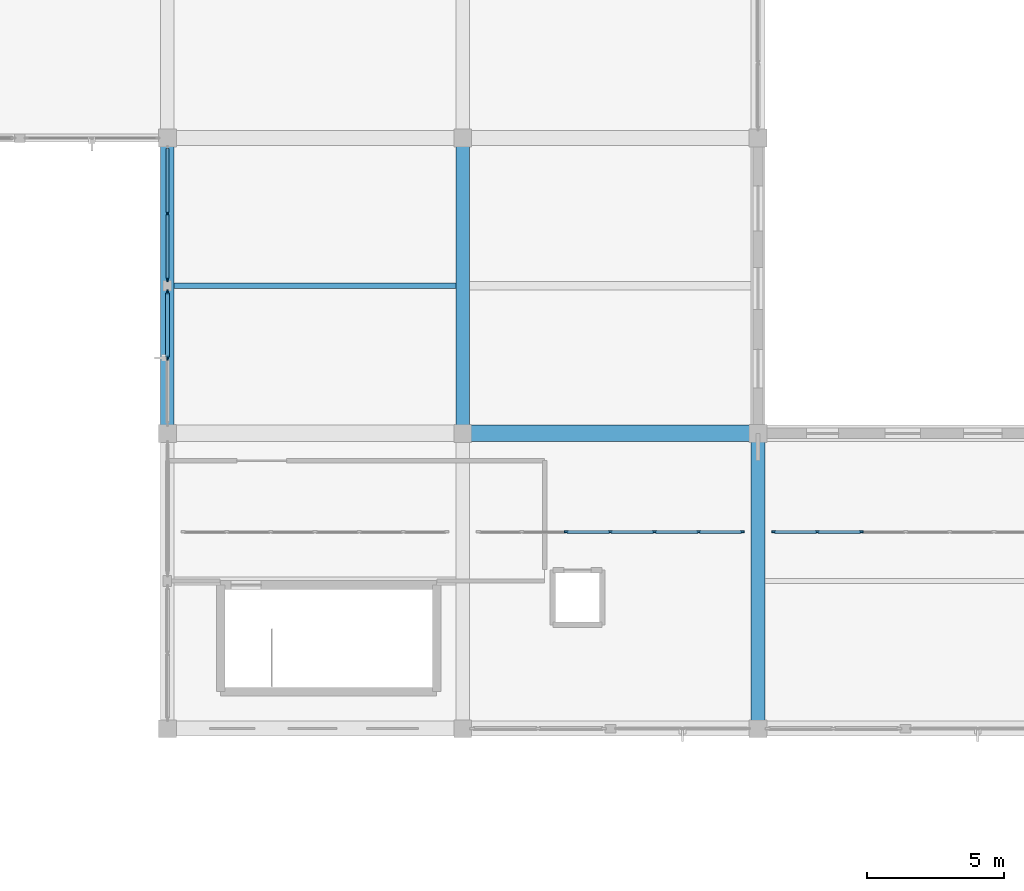
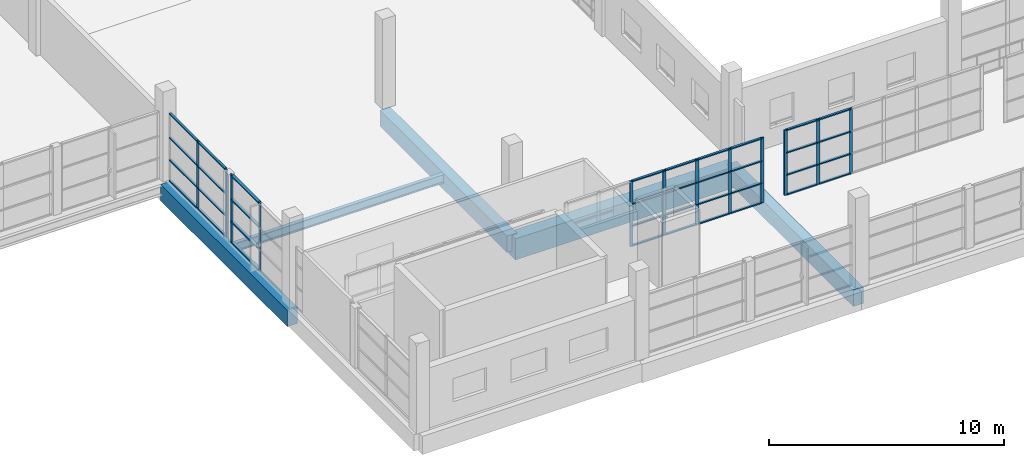
# One storey, part 24 of 142: 48 members, 5 beams, 4 elements without a shape of their own.
"""IFC4 building model written with IfcOpenShell, lengths in metres."""

from ifc_helpers import new_model, si_unit, direction, frame, origin, origin_2d, place, context, subcontext, project, spatial, rectangle, i_section, extrude, material, material_profile, profile_set, type_object, element, aggregate, save


model = new_model("IFC4")

# Units and contexts
model_context = context("Model", 3, precision=1e-05, world=origin(), true_north=direction((0.0, 1.0)))
body_context = subcontext(model_context, "Body", "Model", "MODEL_VIEW")
ifc_project = project(units=[si_unit("LENGTHUNIT", "METRE"), si_unit("AREAUNIT", "SQUARE_METRE"), si_unit("VOLUMEUNIT", "CUBIC_METRE"), si_unit("PLANEANGLEUNIT", "RADIAN"), si_unit("MASSUNIT", "GRAM", prefix="KILO")], contexts=[model_context])

# Site, building, storey
site_placement = place(None, origin())
site = spatial("IfcSite", under=ifc_project, at=site_placement, CompositionType="ELEMENT")
building_placement = place(site_placement, origin())
building = spatial("IfcBuilding", under=site, at=building_placement, Name="Zwinboog Wholesale Market", CompositionType="ELEMENT")
storey_placement = place(building_placement, frame((0.0, 0.0, 5.39990234375)))
storey = spatial("IfcBuildingStorey", under=building, at=storey_placement, Name="L01", CompositionType="ELEMENT", Elevation=5.39990234375)

# Beams
ifc_material_1 = material(Name="Precast concrete C45/55", Category="concrete")
ifc_material_profile_1 = material_profile(ifc_material_1, rectangle(XDim=0.60009765625, YDim=1.10009765625, at=origin_2d()), Name="PC 600x1100")
ifc_profile_set_1 = profile_set([ifc_material_profile_1], Name="Precast concrete C45/55")
beam_type_1 = type_object("IfcBeamType", Name="BT-01", PredefinedType="BEAM", material=ifc_profile_set_1)
beam_1_placement = place(storey_placement, frame((75.60009765625, 54.0, -0.85498046875), z_axis=(1.0, 0.0, 0.0), x_axis=(0.0, 1.0, 0.0)))
element("IfcBeam", 1, at=beam_1_placement, inside=storey, type_object=beam_type_1, Name="BG-01 (BMG-L01-0756-0540-0480)", PredefinedType="BEAM", context=body_context, shape_type="SweptSolid", body=[
    extrude(rectangle(XDim=0.60009765625, YDim=1.10009765625, at=origin_2d()), origin(), (0.0, 0.0, 1.0), 10.7998046875),
])
ifc_material_profile_2 = material_profile(ifc_material_1, rectangle(XDim=0.5, YDim=0.85009765625, at=origin_2d()), Name="PC 500x850")
ifc_profile_set_2 = profile_set([ifc_material_profile_2], Name="Precast concrete C45/55")
beam_type_2 = type_object("IfcBeamType", Name="BT-03", PredefinedType="BEAM", material=ifc_profile_set_2)
for number, where, z_axis, x_axis, name in (
    (2, (64.800048828125, 54.0, -0.7568359375), (0.0, 1.0, 0.0), (-1.0, 0.0, 0.0), "BG-03 (BMG-L01-0648-0540-0666)"),
    (3, (75.60009765625, 54.0, -0.679931640625), (0.0, 1.0, 0.0), (-1.0, 0.0, 0.0), "BG-03 (BMG-L01-0756-0540-0674)"),
    (4, (86.39990234375, 43.199951171875, -0.72998046875), (0.0, 1.0, 0.0), (-1.0, 0.0, 0.0), "BG-03 (BMG-L01-0864-0432-0681)"),
):
    element("IfcBeam", number, at=place(storey_placement, frame(where, z_axis=z_axis, x_axis=x_axis)), inside=storey, type_object=beam_type_2, Name=name, PredefinedType="BEAM", context=body_context, shape_type="SweptSolid", body=[
        extrude(rectangle(XDim=0.5, YDim=0.85009765625, at=origin_2d()), origin(), (0.0, 0.0, 1.0), 10.800048828125),
    ])
ifc_material_2 = material(Name="Steel S355", Category="steel")
ifc_material_profile_3 = material_profile(ifc_material_2, i_section(OverallWidth=0.18994140625, OverallDepth=0.449951171875, WebThickness=0.009521484375, FlangeThickness=0.0146484375, FilletRadius=0.02099609375, at=origin_2d()), Name="IPE 450")
ifc_profile_set_3 = profile_set([ifc_material_profile_3], Name="Steel S355")
beam_type_3 = type_object("IfcBeamType", Name="BT-19", PredefinedType="JOIST", material=ifc_profile_set_3)
beam_2_placement = place(storey_placement, frame((65.050048828125, 59.39990234375, -0.47998046875), z_axis=(1.0, 0.0, 0.0), x_axis=(0.0, 1.0, 0.0)))
element("IfcBeam", 5, at=beam_2_placement, inside=storey, type_object=beam_type_3, Name="SJ-02 (BMG-L01-0650-0594-0818)", PredefinedType="JOIST", context=body_context, shape_type="SweptSolid", body=[
    extrude(i_section(OverallWidth=0.18994140625, OverallDepth=0.449951171875, WebThickness=0.009521484375, FlangeThickness=0.0146484375, FilletRadius=0.02099609375, at=origin_2d()), origin(), (0.0, 0.0, 1.0), 10.300048828125),
])

# Curtain wall, members
ifc_material_3 = material(Name="Aluminium thermally broken curtain wall", Category="aluminium")
curtain_wall_type_1 = type_object("IfcCurtainWallType", Name="CWT-HALL-24", PredefinedType="USERDEFINED", material=ifc_material_3)
curtain_wall_1_placement = place(storey_placement, origin())
curtain_wall_1 = element("IfcCurtainWall", 6, at=curtain_wall_1_placement, inside=storey, type_object=curtain_wall_type_1, Name="CW-03 (CW-L01-087)", ObjectType="UNITIZED_CURTAIN_WALL", PredefinedType="USERDEFINED")
ifc_material_4 = material(Name="Aluminium EN AW-6060", Category="aluminium")
ifc_material_profile_4 = material_profile(ifc_material_4, rectangle(XDim=0.06494140625, YDim=0.179931640625, at=origin_2d()), Name="AL 65x180")
ifc_profile_set_4 = profile_set([ifc_material_profile_4], Name="Aluminium EN AW-6060")
member_type_1 = type_object("IfcMemberType", Name="CWM-65x180", PredefinedType="MULLION", material=ifc_profile_set_4)
member_1_placement = place(storey_placement, frame((64.800048828125, 56.760009765625, 0.0), z_axis=(0.0, 0.0, 1.0), x_axis=(-1.0, 0.0, 0.0)))
member_1 = element("IfcMember", 7, at=member_1_placement, type_object=member_type_1, Name="CW-03 mullion 2", PredefinedType="MULLION", context=body_context, shape_type="SweptSolid", body=[
    extrude(rectangle(XDim=0.06494140625, YDim=0.179931640625, at=origin_2d()), origin(), (0.0, 0.0, 1.0), 3.530029296875),
])
member_2_placement = place(storey_placement, frame((64.800048828125, 59.16748046875, 0.0), z_axis=(0.0, 0.0, 1.0), x_axis=(-1.0, 0.0, 0.0)))
member_2 = element("IfcMember", 8, at=member_2_placement, type_object=member_type_1, Name="CW-03 mullion 3", PredefinedType="MULLION", context=body_context, shape_type="SweptSolid", body=[
    extrude(rectangle(XDim=0.06494140625, YDim=0.179931640625, at=origin_2d()), origin(), (0.0, 0.0, 1.0), 3.530029296875),
])

curtain_wall_type_2 = type_object("IfcCurtainWallType", Name="CWT-GAL-16", PredefinedType="USERDEFINED", material=ifc_material_3)
curtain_wall_2_placement = place(storey_placement, origin())
curtain_wall_2 = element("IfcCurtainWall", 9, at=curtain_wall_2_placement, inside=storey, type_object=curtain_wall_type_2, Name="CW-04 (CW-L01-088)", ObjectType="UNITIZED_CURTAIN_WALL", PredefinedType="USERDEFINED")
ifc_material_profile_5 = material_profile(ifc_material_4, rectangle(XDim=0.06005859375, YDim=0.14990234375, at=origin_2d()), Name="AL 60x150")
ifc_profile_set_5 = profile_set([ifc_material_profile_5], Name="Aluminium EN AW-6060")
member_type_2 = type_object("IfcMemberType", Name="CWM-60x150", PredefinedType="MULLION", material=ifc_profile_set_5)
member_3_placement = place(storey_placement, frame((64.800048828125, 59.6298828125, 0.0), z_axis=(0.0, 0.0, 1.0), x_axis=(-1.0, 0.0, 0.0)))
member_3 = element("IfcMember", 10, at=member_3_placement, type_object=member_type_2, Name="CW-04 mullion 1", PredefinedType="MULLION", context=body_context, shape_type="SweptSolid", body=[
    extrude(rectangle(XDim=0.06005859375, YDim=0.14990234375, at=origin_2d()), origin(), (0.0, 0.0, 1.0), 3.530029296875),
])
member_4_placement = place(storey_placement, frame((64.800048828125, 62.0400390625, 0.0), z_axis=(0.0, 0.0, 1.0), x_axis=(-1.0, 0.0, 0.0)))
member_4 = element("IfcMember", 11, at=member_4_placement, type_object=member_type_2, Name="CW-04 mullion 2", PredefinedType="MULLION", context=body_context, shape_type="SweptSolid", body=[
    extrude(rectangle(XDim=0.06005859375, YDim=0.14990234375, at=origin_2d()), origin(), (0.0, 0.0, 1.0), 3.530029296875),
])

# Member
ifc_material_profile_6 = material_profile(ifc_material_4, rectangle(XDim=0.139892578125, YDim=0.06494140625, at=origin_2d()), Name="AL 65x140")
ifc_profile_set_6 = profile_set([ifc_material_profile_6], Name="Aluminium EN AW-6060")
member_type_3 = type_object("IfcMemberType", Name="CWT-65x140", PredefinedType="USERDEFINED", material=ifc_profile_set_6)
member_5_placement = place(storey_placement, frame((64.800048828125, 56.79248046875, 0.03271484375), z_axis=(0.0, 1.0, 0.0), x_axis=(-1.0, 0.0, 0.0)))
member_5 = element("IfcMember", 12, at=member_5_placement, type_object=member_type_3, Name="CW-03 transom 2.1", ObjectType="TRANSOM", PredefinedType="USERDEFINED", context=body_context, shape_type="SweptSolid", body=[
    extrude(rectangle(XDim=0.139892578125, YDim=0.06494140625, at=origin_2d()), origin(), (0.0, 0.0, 1.0), 2.342529296875),
])

member_6_placement = place(storey_placement, frame((64.800048828125, 56.79248046875, 1.10009765625), z_axis=(0.0, 1.0, 0.0), x_axis=(-1.0, 0.0, 0.0)))
member_6 = element("IfcMember", 13, at=member_6_placement, type_object=member_type_3, Name="CW-03 transom 2.2", ObjectType="TRANSOM", PredefinedType="USERDEFINED", context=body_context, shape_type="SweptSolid", body=[
    extrude(rectangle(XDim=0.139892578125, YDim=0.06494140625, at=origin_2d()), origin(), (0.0, 0.0, 1.0), 2.342529296875),
])

member_7_placement = place(storey_placement, frame((64.800048828125, 56.79248046875, 2.25), z_axis=(0.0, 1.0, 0.0), x_axis=(-1.0, 0.0, 0.0)))
member_7 = element("IfcMember", 14, at=member_7_placement, type_object=member_type_3, Name="CW-03 transom 2.3", ObjectType="TRANSOM", PredefinedType="USERDEFINED", context=body_context, shape_type="SweptSolid", body=[
    extrude(rectangle(XDim=0.139892578125, YDim=0.06494140625, at=origin_2d()), origin(), (0.0, 0.0, 1.0), 2.342529296875),
])

member_8_placement = place(storey_placement, frame((64.800048828125, 56.79248046875, 3.49755859375), z_axis=(0.0, 1.0, 0.0), x_axis=(-1.0, 0.0, 0.0)))
member_8 = element("IfcMember", 15, at=member_8_placement, type_object=member_type_3, Name="CW-03 transom 2.4", ObjectType="TRANSOM", PredefinedType="USERDEFINED", context=body_context, shape_type="SweptSolid", body=[
    extrude(rectangle(XDim=0.139892578125, YDim=0.06494140625, at=origin_2d()), origin(), (0.0, 0.0, 1.0), 2.342529296875),
])

aggregate(curtain_wall_1, [member_1, member_2, member_5, member_6, member_7, member_8])

ifc_material_profile_7 = material_profile(ifc_material_4, rectangle(XDim=0.110107421875, YDim=0.06005859375, at=origin_2d()), Name="AL 60x110")
ifc_profile_set_7 = profile_set([ifc_material_profile_7], Name="Aluminium EN AW-6060")
member_type_4 = type_object("IfcMemberType", Name="CWT-60x110", PredefinedType="USERDEFINED", material=ifc_profile_set_7)
member_9_placement = place(storey_placement, frame((64.800048828125, 59.659912109375, 0.030029296875), z_axis=(0.0, 1.0, 0.0), x_axis=(-1.0, 0.0, 0.0)))
member_9 = element("IfcMember", 16, at=member_9_placement, type_object=member_type_4, Name="CW-04 transom 1.1", ObjectType="TRANSOM", PredefinedType="USERDEFINED", context=body_context, shape_type="SweptSolid", body=[
    extrude(rectangle(XDim=0.110107421875, YDim=0.06005859375, at=origin_2d()), origin(), (0.0, 0.0, 1.0), 2.35009765625),
])

member_10_placement = place(storey_placement, frame((64.800048828125, 59.659912109375, 1.10009765625), z_axis=(0.0, 1.0, 0.0), x_axis=(-1.0, 0.0, 0.0)))
member_10 = element("IfcMember", 17, at=member_10_placement, type_object=member_type_4, Name="CW-04 transom 1.2", ObjectType="TRANSOM", PredefinedType="USERDEFINED", context=body_context, shape_type="SweptSolid", body=[
    extrude(rectangle(XDim=0.110107421875, YDim=0.06005859375, at=origin_2d()), origin(), (0.0, 0.0, 1.0), 2.35009765625),
])

member_11_placement = place(storey_placement, frame((64.800048828125, 59.659912109375, 2.25), z_axis=(0.0, 1.0, 0.0), x_axis=(-1.0, 0.0, 0.0)))
member_11 = element("IfcMember", 18, at=member_11_placement, type_object=member_type_4, Name="CW-04 transom 1.3", ObjectType="TRANSOM", PredefinedType="USERDEFINED", context=body_context, shape_type="SweptSolid", body=[
    extrude(rectangle(XDim=0.110107421875, YDim=0.06005859375, at=origin_2d()), origin(), (0.0, 0.0, 1.0), 2.35009765625),
])

member_12_placement = place(storey_placement, frame((64.800048828125, 59.659912109375, 3.5), z_axis=(0.0, 1.0, 0.0), x_axis=(-1.0, 0.0, 0.0)))
member_12 = element("IfcMember", 19, at=member_12_placement, type_object=member_type_4, Name="CW-04 transom 1.4", ObjectType="TRANSOM", PredefinedType="USERDEFINED", context=body_context, shape_type="SweptSolid", body=[
    extrude(rectangle(XDim=0.110107421875, YDim=0.06005859375, at=origin_2d()), origin(), (0.0, 0.0, 1.0), 2.35009765625),
])

member_13_placement = place(storey_placement, frame((64.800048828125, 62.070068359375, 0.030029296875), z_axis=(0.0, 1.0, 0.0), x_axis=(-1.0, 0.0, 0.0)))
member_13 = element("IfcMember", 20, at=member_13_placement, type_object=member_type_4, Name="CW-04 transom 2.1", ObjectType="TRANSOM", PredefinedType="USERDEFINED", context=body_context, shape_type="SweptSolid", body=[
    extrude(rectangle(XDim=0.110107421875, YDim=0.06005859375, at=origin_2d()), origin(), (0.0, 0.0, 1.0), 2.349853515625),
])

member_14_placement = place(storey_placement, frame((64.800048828125, 62.070068359375, 1.10009765625), z_axis=(0.0, 1.0, 0.0), x_axis=(-1.0, 0.0, 0.0)))
member_14 = element("IfcMember", 21, at=member_14_placement, type_object=member_type_4, Name="CW-04 transom 2.2", ObjectType="TRANSOM", PredefinedType="USERDEFINED", context=body_context, shape_type="SweptSolid", body=[
    extrude(rectangle(XDim=0.110107421875, YDim=0.06005859375, at=origin_2d()), origin(), (0.0, 0.0, 1.0), 2.349853515625),
])

member_15_placement = place(storey_placement, frame((64.800048828125, 62.070068359375, 2.25), z_axis=(0.0, 1.0, 0.0), x_axis=(-1.0, 0.0, 0.0)))
member_15 = element("IfcMember", 22, at=member_15_placement, type_object=member_type_4, Name="CW-04 transom 2.3", ObjectType="TRANSOM", PredefinedType="USERDEFINED", context=body_context, shape_type="SweptSolid", body=[
    extrude(rectangle(XDim=0.110107421875, YDim=0.06005859375, at=origin_2d()), origin(), (0.0, 0.0, 1.0), 2.349853515625),
])

member_16_placement = place(storey_placement, frame((64.800048828125, 62.070068359375, 3.5), z_axis=(0.0, 1.0, 0.0), x_axis=(-1.0, 0.0, 0.0)))
member_16 = element("IfcMember", 23, at=member_16_placement, type_object=member_type_4, Name="CW-04 transom 2.4", ObjectType="TRANSOM", PredefinedType="USERDEFINED", context=body_context, shape_type="SweptSolid", body=[
    extrude(rectangle(XDim=0.110107421875, YDim=0.06005859375, at=origin_2d()), origin(), (0.0, 0.0, 1.0), 2.349853515625),
])

aggregate(curtain_wall_2, [member_3, member_4, member_9, member_10, member_11, member_12, member_13, member_14, member_15, member_16])

# Curtain wall, members
curtain_wall_type_3 = type_object("IfcCurtainWallType", Name="CWT-INT-STALL", PredefinedType="USERDEFINED", material=ifc_material_3)
curtain_wall_3_placement = place(storey_placement, origin())
curtain_wall_3 = element("IfcCurtainWall", 24, at=curtain_wall_3_placement, inside=storey, type_object=curtain_wall_type_3, Name="CW-07 (CW-STL-226)", ObjectType="STOREFRONT_GLAZING", PredefinedType="USERDEFINED")
ifc_material_profile_8 = material_profile(ifc_material_4, rectangle(XDim=0.06005859375, YDim=0.14990234375, at=origin_2d()), Name="AL 60x150")
ifc_profile_set_8 = profile_set([ifc_material_profile_8], Name="Aluminium EN AW-6060")
member_type_5 = type_object("IfcMemberType", Name="CWM-INT-60x120", PredefinedType="MULLION", material=ifc_profile_set_8)
member_17_placement = place(storey_placement, frame((79.38330078125, 50.39990234375, 0.0), z_axis=(0.0, 0.0, 1.0), x_axis=(0.0, 1.0, 0.0)))
member_17 = element("IfcMember", 25, at=member_17_placement, type_object=member_type_5, Name="CW-07 mullion 3", PredefinedType="MULLION", context=body_context, shape_type="SweptSolid", body=[
    extrude(rectangle(XDim=0.06005859375, YDim=0.14990234375, at=origin_2d()), origin(), (0.0, 0.0, 1.0), 3.400146484375),
])
member_18_placement = place(storey_placement, frame((81.0, 50.39990234375, 0.0), z_axis=(0.0, 0.0, 1.0), x_axis=(0.0, 1.0, 0.0)))
member_18 = element("IfcMember", 26, at=member_18_placement, type_object=member_type_5, Name="CW-07 mullion 4", PredefinedType="MULLION", context=body_context, shape_type="SweptSolid", body=[
    extrude(rectangle(XDim=0.06005859375, YDim=0.14990234375, at=origin_2d()), origin(), (0.0, 0.0, 1.0), 3.400146484375),
])
member_19_placement = place(storey_placement, frame((82.61669921875, 50.39990234375, 0.0), z_axis=(0.0, 0.0, 1.0), x_axis=(0.0, 1.0, 0.0)))
member_19 = element("IfcMember", 27, at=member_19_placement, type_object=member_type_5, Name="CW-07 mullion 5", PredefinedType="MULLION", context=body_context, shape_type="SweptSolid", body=[
    extrude(rectangle(XDim=0.06005859375, YDim=0.14990234375, at=origin_2d()), origin(), (0.0, 0.0, 1.0), 3.400146484375),
])
member_20_placement = place(storey_placement, frame((84.2333984375, 50.39990234375, 0.0), z_axis=(0.0, 0.0, 1.0), x_axis=(0.0, 1.0, 0.0)))
member_20 = element("IfcMember", 28, at=member_20_placement, type_object=member_type_5, Name="CW-07 mullion 6", PredefinedType="MULLION", context=body_context, shape_type="SweptSolid", body=[
    extrude(rectangle(XDim=0.06005859375, YDim=0.14990234375, at=origin_2d()), origin(), (0.0, 0.0, 1.0), 3.400146484375),
])
member_21_placement = place(storey_placement, frame((85.820068359375, 50.39990234375, 0.0), z_axis=(0.0, 0.0, 1.0), x_axis=(0.0, 1.0, 0.0)))
member_21 = element("IfcMember", 29, at=member_21_placement, type_object=member_type_5, Name="CW-07 mullion 7", PredefinedType="MULLION", context=body_context, shape_type="SweptSolid", body=[
    extrude(rectangle(XDim=0.06005859375, YDim=0.14990234375, at=origin_2d()), origin(), (0.0, 0.0, 1.0), 3.400146484375),
])

curtain_wall_4_placement = place(storey_placement, origin())
curtain_wall_4 = element("IfcCurtainWall", 30, at=curtain_wall_4_placement, inside=storey, type_object=curtain_wall_type_3, Name="CW-07 (CW-STL-227)", ObjectType="STOREFRONT_GLAZING", PredefinedType="USERDEFINED")
member_22_placement = place(storey_placement, frame((86.97998046875, 50.39990234375, 0.0), z_axis=(0.0, 0.0, 1.0), x_axis=(0.0, 1.0, 0.0)))
member_22 = element("IfcMember", 31, at=member_22_placement, type_object=member_type_5, Name="CW-07 mullion 1", PredefinedType="MULLION", context=body_context, shape_type="SweptSolid", body=[
    extrude(rectangle(XDim=0.06005859375, YDim=0.14990234375, at=origin_2d()), origin(), (0.0, 0.0, 1.0), 3.400146484375),
])
member_23_placement = place(storey_placement, frame((88.566650390625, 50.39990234375, 0.0), z_axis=(0.0, 0.0, 1.0), x_axis=(0.0, 1.0, 0.0)))
member_23 = element("IfcMember", 32, at=member_23_placement, type_object=member_type_5, Name="CW-07 mullion 2", PredefinedType="MULLION", context=body_context, shape_type="SweptSolid", body=[
    extrude(rectangle(XDim=0.06005859375, YDim=0.14990234375, at=origin_2d()), origin(), (0.0, 0.0, 1.0), 3.400146484375),
])
member_24_placement = place(storey_placement, frame((90.183349609375, 50.39990234375, 0.0), z_axis=(0.0, 0.0, 1.0), x_axis=(0.0, 1.0, 0.0)))
member_24 = element("IfcMember", 33, at=member_24_placement, type_object=member_type_5, Name="CW-07 mullion 3", PredefinedType="MULLION", context=body_context, shape_type="SweptSolid", body=[
    extrude(rectangle(XDim=0.06005859375, YDim=0.14990234375, at=origin_2d()), origin(), (0.0, 0.0, 1.0), 3.400146484375),
])

# Member
ifc_material_profile_9 = material_profile(ifc_material_4, rectangle(XDim=0.110107421875, YDim=0.06005859375, at=origin_2d()), Name="AL 60x110")
ifc_profile_set_9 = profile_set([ifc_material_profile_9], Name="Aluminium EN AW-6060")
member_type_6 = type_object("IfcMemberType", Name="CWT-INT-60x100", PredefinedType="USERDEFINED", material=ifc_profile_set_9)
member_25_placement = place(storey_placement, frame((79.413330078125, 50.39990234375, 0.030029296875), z_axis=(1.0, 0.0, 0.0), x_axis=(0.0, 1.0, 0.0)))
member_25 = element("IfcMember", 34, at=member_25_placement, type_object=member_type_6, Name="CW-07 transom 3.1", ObjectType="TRANSOM", PredefinedType="USERDEFINED", context=body_context, shape_type="SweptSolid", body=[
    extrude(rectangle(XDim=0.110107421875, YDim=0.06005859375, at=origin_2d()), origin(), (0.0, 0.0, 1.0), 1.556640625),
])

member_26_placement = place(storey_placement, frame((79.413330078125, 50.39990234375, 1.050048828125), z_axis=(1.0, 0.0, 0.0), x_axis=(0.0, 1.0, 0.0)))
member_26 = element("IfcMember", 35, at=member_26_placement, type_object=member_type_6, Name="CW-07 transom 3.2", ObjectType="TRANSOM", PredefinedType="USERDEFINED", context=body_context, shape_type="SweptSolid", body=[
    extrude(rectangle(XDim=0.110107421875, YDim=0.06005859375, at=origin_2d()), origin(), (0.0, 0.0, 1.0), 1.556640625),
])

member_27_placement = place(storey_placement, frame((79.413330078125, 50.39990234375, 2.2001953125), z_axis=(1.0, 0.0, 0.0), x_axis=(0.0, 1.0, 0.0)))
member_27 = element("IfcMember", 36, at=member_27_placement, type_object=member_type_6, Name="CW-07 transom 3.3", ObjectType="TRANSOM", PredefinedType="USERDEFINED", context=body_context, shape_type="SweptSolid", body=[
    extrude(rectangle(XDim=0.110107421875, YDim=0.06005859375, at=origin_2d()), origin(), (0.0, 0.0, 1.0), 1.556640625),
])

member_28_placement = place(storey_placement, frame((79.413330078125, 50.39990234375, 3.3701171875), z_axis=(1.0, 0.0, 0.0), x_axis=(0.0, 1.0, 0.0)))
member_28 = element("IfcMember", 37, at=member_28_placement, type_object=member_type_6, Name="CW-07 transom 3.4", ObjectType="TRANSOM", PredefinedType="USERDEFINED", context=body_context, shape_type="SweptSolid", body=[
    extrude(rectangle(XDim=0.110107421875, YDim=0.06005859375, at=origin_2d()), origin(), (0.0, 0.0, 1.0), 1.556640625),
])

member_29_placement = place(storey_placement, frame((81.030029296875, 50.39990234375, 0.030029296875), z_axis=(1.0, 0.0, 0.0), x_axis=(0.0, 1.0, 0.0)))
member_29 = element("IfcMember", 38, at=member_29_placement, type_object=member_type_6, Name="CW-07 transom 4.1", ObjectType="TRANSOM", PredefinedType="USERDEFINED", context=body_context, shape_type="SweptSolid", body=[
    extrude(rectangle(XDim=0.110107421875, YDim=0.06005859375, at=origin_2d()), origin(), (0.0, 0.0, 1.0), 1.556640625),
])

member_30_placement = place(storey_placement, frame((81.030029296875, 50.39990234375, 1.050048828125), z_axis=(1.0, 0.0, 0.0), x_axis=(0.0, 1.0, 0.0)))
member_30 = element("IfcMember", 39, at=member_30_placement, type_object=member_type_6, Name="CW-07 transom 4.2", ObjectType="TRANSOM", PredefinedType="USERDEFINED", context=body_context, shape_type="SweptSolid", body=[
    extrude(rectangle(XDim=0.110107421875, YDim=0.06005859375, at=origin_2d()), origin(), (0.0, 0.0, 1.0), 1.556640625),
])

member_31_placement = place(storey_placement, frame((81.030029296875, 50.39990234375, 2.2001953125), z_axis=(1.0, 0.0, 0.0), x_axis=(0.0, 1.0, 0.0)))
member_31 = element("IfcMember", 40, at=member_31_placement, type_object=member_type_6, Name="CW-07 transom 4.3", ObjectType="TRANSOM", PredefinedType="USERDEFINED", context=body_context, shape_type="SweptSolid", body=[
    extrude(rectangle(XDim=0.110107421875, YDim=0.06005859375, at=origin_2d()), origin(), (0.0, 0.0, 1.0), 1.556640625),
])

member_32_placement = place(storey_placement, frame((81.030029296875, 50.39990234375, 3.3701171875), z_axis=(1.0, 0.0, 0.0), x_axis=(0.0, 1.0, 0.0)))
member_32 = element("IfcMember", 41, at=member_32_placement, type_object=member_type_6, Name="CW-07 transom 4.4", ObjectType="TRANSOM", PredefinedType="USERDEFINED", context=body_context, shape_type="SweptSolid", body=[
    extrude(rectangle(XDim=0.110107421875, YDim=0.06005859375, at=origin_2d()), origin(), (0.0, 0.0, 1.0), 1.556640625),
])

member_33_placement = place(storey_placement, frame((82.646728515625, 50.39990234375, 0.030029296875), z_axis=(1.0, 0.0, 0.0), x_axis=(0.0, 1.0, 0.0)))
member_33 = element("IfcMember", 42, at=member_33_placement, type_object=member_type_6, Name="CW-07 transom 5.1", ObjectType="TRANSOM", PredefinedType="USERDEFINED", context=body_context, shape_type="SweptSolid", body=[
    extrude(rectangle(XDim=0.110107421875, YDim=0.06005859375, at=origin_2d()), origin(), (0.0, 0.0, 1.0), 1.556640625),
])

member_34_placement = place(storey_placement, frame((82.646728515625, 50.39990234375, 1.050048828125), z_axis=(1.0, 0.0, 0.0), x_axis=(0.0, 1.0, 0.0)))
member_34 = element("IfcMember", 43, at=member_34_placement, type_object=member_type_6, Name="CW-07 transom 5.2", ObjectType="TRANSOM", PredefinedType="USERDEFINED", context=body_context, shape_type="SweptSolid", body=[
    extrude(rectangle(XDim=0.110107421875, YDim=0.06005859375, at=origin_2d()), origin(), (0.0, 0.0, 1.0), 1.556640625),
])

member_35_placement = place(storey_placement, frame((82.646728515625, 50.39990234375, 2.2001953125), z_axis=(1.0, 0.0, 0.0), x_axis=(0.0, 1.0, 0.0)))
member_35 = element("IfcMember", 44, at=member_35_placement, type_object=member_type_6, Name="CW-07 transom 5.3", ObjectType="TRANSOM", PredefinedType="USERDEFINED", context=body_context, shape_type="SweptSolid", body=[
    extrude(rectangle(XDim=0.110107421875, YDim=0.06005859375, at=origin_2d()), origin(), (0.0, 0.0, 1.0), 1.556640625),
])

member_36_placement = place(storey_placement, frame((82.646728515625, 50.39990234375, 3.3701171875), z_axis=(1.0, 0.0, 0.0), x_axis=(0.0, 1.0, 0.0)))
member_36 = element("IfcMember", 45, at=member_36_placement, type_object=member_type_6, Name="CW-07 transom 5.4", ObjectType="TRANSOM", PredefinedType="USERDEFINED", context=body_context, shape_type="SweptSolid", body=[
    extrude(rectangle(XDim=0.110107421875, YDim=0.06005859375, at=origin_2d()), origin(), (0.0, 0.0, 1.0), 1.556640625),
])

member_37_placement = place(storey_placement, frame((84.263427734375, 50.39990234375, 0.030029296875), z_axis=(1.0, 0.0, 0.0), x_axis=(0.0, 1.0, 0.0)))
member_37 = element("IfcMember", 46, at=member_37_placement, type_object=member_type_6, Name="CW-07 transom 6.1", ObjectType="TRANSOM", PredefinedType="USERDEFINED", context=body_context, shape_type="SweptSolid", body=[
    extrude(rectangle(XDim=0.110107421875, YDim=0.06005859375, at=origin_2d()), origin(), (0.0, 0.0, 1.0), 1.526611328125),
])

member_38_placement = place(storey_placement, frame((84.263427734375, 50.39990234375, 1.050048828125), z_axis=(1.0, 0.0, 0.0), x_axis=(0.0, 1.0, 0.0)))
member_38 = element("IfcMember", 47, at=member_38_placement, type_object=member_type_6, Name="CW-07 transom 6.2", ObjectType="TRANSOM", PredefinedType="USERDEFINED", context=body_context, shape_type="SweptSolid", body=[
    extrude(rectangle(XDim=0.110107421875, YDim=0.06005859375, at=origin_2d()), origin(), (0.0, 0.0, 1.0), 1.526611328125),
])

member_39_placement = place(storey_placement, frame((84.263427734375, 50.39990234375, 2.2001953125), z_axis=(1.0, 0.0, 0.0), x_axis=(0.0, 1.0, 0.0)))
member_39 = element("IfcMember", 48, at=member_39_placement, type_object=member_type_6, Name="CW-07 transom 6.3", ObjectType="TRANSOM", PredefinedType="USERDEFINED", context=body_context, shape_type="SweptSolid", body=[
    extrude(rectangle(XDim=0.110107421875, YDim=0.06005859375, at=origin_2d()), origin(), (0.0, 0.0, 1.0), 1.526611328125),
])

member_40_placement = place(storey_placement, frame((84.263427734375, 50.39990234375, 3.3701171875), z_axis=(1.0, 0.0, 0.0), x_axis=(0.0, 1.0, 0.0)))
member_40 = element("IfcMember", 49, at=member_40_placement, type_object=member_type_6, Name="CW-07 transom 6.4", ObjectType="TRANSOM", PredefinedType="USERDEFINED", context=body_context, shape_type="SweptSolid", body=[
    extrude(rectangle(XDim=0.110107421875, YDim=0.06005859375, at=origin_2d()), origin(), (0.0, 0.0, 1.0), 1.526611328125),
])

aggregate(curtain_wall_3, [member_17, member_18, member_19, member_20, member_21, member_25, member_26, member_27, member_28, member_29, member_30, member_31, member_32, member_33, member_34, member_35, member_36, member_37, member_38, member_39, member_40])

member_41_placement = place(storey_placement, frame((87.010009765625, 50.39990234375, 0.030029296875), z_axis=(1.0, 0.0, 0.0), x_axis=(0.0, 1.0, 0.0)))
member_41 = element("IfcMember", 50, at=member_41_placement, type_object=member_type_6, Name="CW-07 transom 1.1", ObjectType="TRANSOM", PredefinedType="USERDEFINED", context=body_context, shape_type="SweptSolid", body=[
    extrude(rectangle(XDim=0.110107421875, YDim=0.06005859375, at=origin_2d()), origin(), (0.0, 0.0, 1.0), 1.526611328125),
])

member_42_placement = place(storey_placement, frame((87.010009765625, 50.39990234375, 1.050048828125), z_axis=(1.0, 0.0, 0.0), x_axis=(0.0, 1.0, 0.0)))
member_42 = element("IfcMember", 51, at=member_42_placement, type_object=member_type_6, Name="CW-07 transom 1.2", ObjectType="TRANSOM", PredefinedType="USERDEFINED", context=body_context, shape_type="SweptSolid", body=[
    extrude(rectangle(XDim=0.110107421875, YDim=0.06005859375, at=origin_2d()), origin(), (0.0, 0.0, 1.0), 1.526611328125),
])

member_43_placement = place(storey_placement, frame((87.010009765625, 50.39990234375, 2.2001953125), z_axis=(1.0, 0.0, 0.0), x_axis=(0.0, 1.0, 0.0)))
member_43 = element("IfcMember", 52, at=member_43_placement, type_object=member_type_6, Name="CW-07 transom 1.3", ObjectType="TRANSOM", PredefinedType="USERDEFINED", context=body_context, shape_type="SweptSolid", body=[
    extrude(rectangle(XDim=0.110107421875, YDim=0.06005859375, at=origin_2d()), origin(), (0.0, 0.0, 1.0), 1.526611328125),
])

member_44_placement = place(storey_placement, frame((87.010009765625, 50.39990234375, 3.3701171875), z_axis=(1.0, 0.0, 0.0), x_axis=(0.0, 1.0, 0.0)))
member_44 = element("IfcMember", 53, at=member_44_placement, type_object=member_type_6, Name="CW-07 transom 1.4", ObjectType="TRANSOM", PredefinedType="USERDEFINED", context=body_context, shape_type="SweptSolid", body=[
    extrude(rectangle(XDim=0.110107421875, YDim=0.06005859375, at=origin_2d()), origin(), (0.0, 0.0, 1.0), 1.526611328125),
])

member_45_placement = place(storey_placement, frame((88.5966796875, 50.39990234375, 0.030029296875), z_axis=(1.0, 0.0, 0.0), x_axis=(0.0, 1.0, 0.0)))
member_45 = element("IfcMember", 54, at=member_45_placement, type_object=member_type_6, Name="CW-07 transom 2.1", ObjectType="TRANSOM", PredefinedType="USERDEFINED", context=body_context, shape_type="SweptSolid", body=[
    extrude(rectangle(XDim=0.110107421875, YDim=0.06005859375, at=origin_2d()), origin(), (0.0, 0.0, 1.0), 1.556640625),
])

member_46_placement = place(storey_placement, frame((88.5966796875, 50.39990234375, 1.050048828125), z_axis=(1.0, 0.0, 0.0), x_axis=(0.0, 1.0, 0.0)))
member_46 = element("IfcMember", 55, at=member_46_placement, type_object=member_type_6, Name="CW-07 transom 2.2", ObjectType="TRANSOM", PredefinedType="USERDEFINED", context=body_context, shape_type="SweptSolid", body=[
    extrude(rectangle(XDim=0.110107421875, YDim=0.06005859375, at=origin_2d()), origin(), (0.0, 0.0, 1.0), 1.556640625),
])

member_47_placement = place(storey_placement, frame((88.5966796875, 50.39990234375, 2.2001953125), z_axis=(1.0, 0.0, 0.0), x_axis=(0.0, 1.0, 0.0)))
member_47 = element("IfcMember", 56, at=member_47_placement, type_object=member_type_6, Name="CW-07 transom 2.3", ObjectType="TRANSOM", PredefinedType="USERDEFINED", context=body_context, shape_type="SweptSolid", body=[
    extrude(rectangle(XDim=0.110107421875, YDim=0.06005859375, at=origin_2d()), origin(), (0.0, 0.0, 1.0), 1.556640625),
])

member_48_placement = place(storey_placement, frame((88.5966796875, 50.39990234375, 3.3701171875), z_axis=(1.0, 0.0, 0.0), x_axis=(0.0, 1.0, 0.0)))
member_48 = element("IfcMember", 57, at=member_48_placement, type_object=member_type_6, Name="CW-07 transom 2.4", ObjectType="TRANSOM", PredefinedType="USERDEFINED", context=body_context, shape_type="SweptSolid", body=[
    extrude(rectangle(XDim=0.110107421875, YDim=0.06005859375, at=origin_2d()), origin(), (0.0, 0.0, 1.0), 1.556640625),
])

aggregate(curtain_wall_4, [member_22, member_23, member_24, member_41, member_42, member_43, member_44, member_45, member_46, member_47, member_48])

save(model, "model.ifc")
